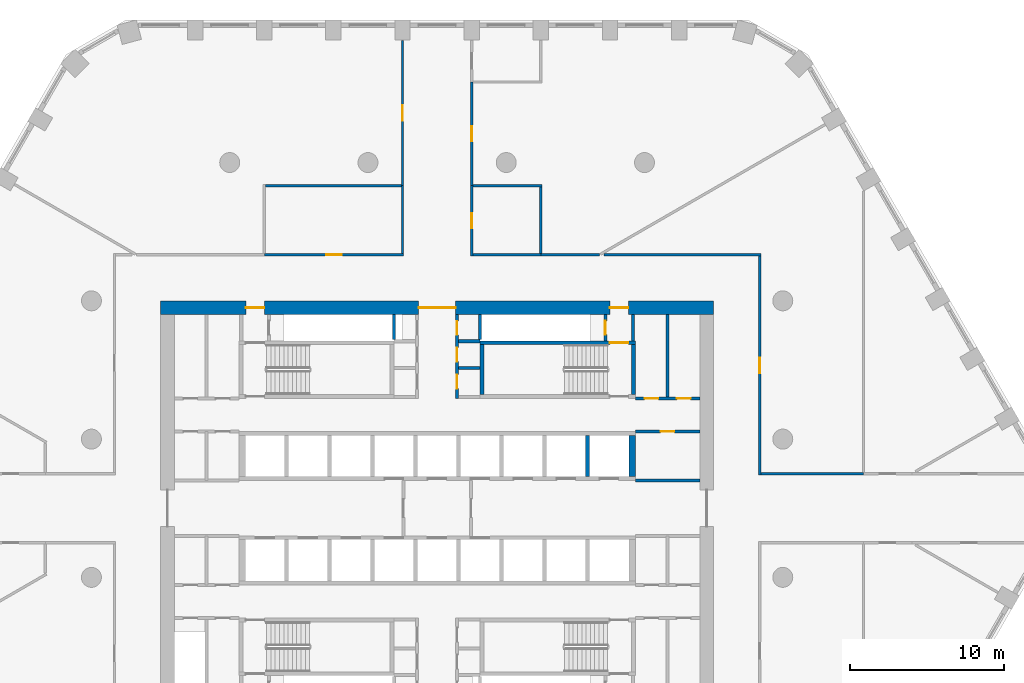
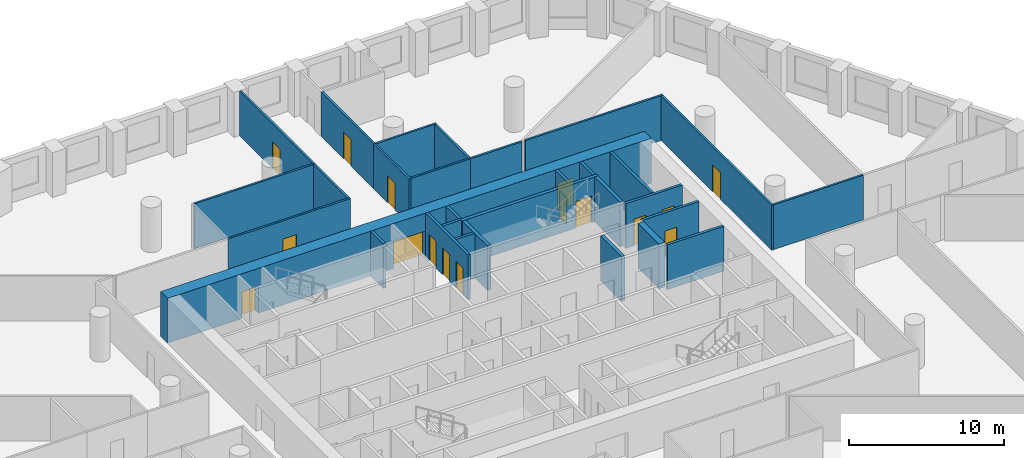
# One storey, part 7 of 10: 30 walls, 16 doors, 16 openings.
"""IFC4 building model written with IfcOpenShell, lengths in metres."""

from ifc_helpers import new_model, si_unit, direction, frame, frame_2d, origin, place, context, subcontext, project, spatial, polyline, rectangle, outline, extrude, material, layer, layer_set, type_object, element, fill, save


model = new_model("IFC4")

# Units and contexts
model_context = context("Model", 3, precision=1e-05, world=origin(), true_north=direction((0.0, 1.0)))
body_context = subcontext(model_context, "Body", "Model", "MODEL_VIEW")
ifc_project = project(units=[si_unit("LENGTHUNIT", "METRE"), si_unit("AREAUNIT", "SQUARE_METRE"), si_unit("VOLUMEUNIT", "CUBIC_METRE"), si_unit("PLANEANGLEUNIT", "RADIAN"), si_unit("MASSUNIT", "GRAM", prefix="KILO")], contexts=[model_context])

# Site, building, storey
site_placement = place(None, origin())
site = spatial("IfcSite", under=ifc_project, at=site_placement, CompositionType="ELEMENT")
building_placement = place(site_placement, origin())
building = spatial("IfcBuilding", under=site, at=building_placement, Name="Dhurran Vertical Campus", CompositionType="ELEMENT")
storey_placement = place(building_placement, frame((0.0, 0.0, 112.5)))
storey = spatial("IfcBuildingStorey", under=building, at=storey_placement, Name="L27", CompositionType="ELEMENT", Elevation=112.5)

# Wall, openings, doors
ifc_material_1 = material(Name="Concrete C60/75", Category="concrete")
ifc_layer_1 = layer(ifc_material_1, 0.89990234375)
ifc_layer_set_1 = layer_set([ifc_layer_1], Name="Concrete C60/75")
wall_type_1 = type_object("IfcWallType", Name="co-CORE-WALL-C0-900", PredefinedType="SHEAR", material=ifc_layer_set_1)
wall_1_placement = place(storey_placement, frame((-18.0, 13.050048828125, 0.0), z_axis=(0.0, 0.0, 1.0), x_axis=(1.0, 0.0, 0.0)))
wall_1 = element("IfcWall", 1, at=wall_1_placement, inside=storey, type_object=wall_type_1, Name="Core wall N L27", PredefinedType="SHEAR", context=body_context, shape_type="SweptSolid", body=[
    extrude(rectangle(XDim=36.0, YDim=0.89990234375, at=frame_2d((18.0, 0.0))), origin(), (0.0, 0.0, 1.0), 3.52490234375),
])
opening_1_placement = place(wall_1_placement, frame((16.800048828125, 0.0, 0.0)))
opening_1 = element("IfcOpeningElement", 2, at=opening_1_placement, cuts=wall_1, Name="Opening CV1", PredefinedType="OPENING", context=body_context, shape_type="SweptSolid", body=[
    extrude(rectangle(XDim=2.39990234375, YDim=2.10009765625, at=frame_2d((1.199951171875, 1.050048828125))), frame((0.0, 0.4599609375, 0.0), z_axis=(0.0, -1.0, 0.0), x_axis=(1.0, 0.0, 0.0)), (0.0, 0.0, 1.0), 0.919921875),
])
opening_2_placement = place(wall_1_placement, frame((5.550048828125, 0.0, 0.0)))
opening_2 = element("IfcOpeningElement", 3, at=opening_2_placement, cuts=wall_1, Name="Opening XD1", PredefinedType="OPENING", context=body_context, shape_type="SweptSolid", body=[
    extrude(rectangle(XDim=1.199951171875, YDim=2.10009765625, at=frame_2d((0.60009765625, 1.050048828125))), frame((0.0, 0.4599609375, 0.0), z_axis=(0.0, -1.0, 0.0), x_axis=(1.0, 0.0, 0.0)), (0.0, 0.0, 1.0), 0.919921875),
])
opening_3_placement = place(wall_1_placement, frame((29.25, 0.0, 0.0)))
opening_3 = element("IfcOpeningElement", 4, at=opening_3_placement, cuts=wall_1, Name="Opening XD2", PredefinedType="OPENING", context=body_context, shape_type="SweptSolid", body=[
    extrude(rectangle(XDim=1.199951171875, YDim=2.10009765625, at=frame_2d((0.60009765625, 1.050048828125))), frame((0.0, 0.4599609375, 0.0), z_axis=(0.0, -1.0, 0.0), x_axis=(1.0, 0.0, 0.0)), (0.0, 0.0, 1.0), 0.919921875),
])
ifc_material_2 = material(Name="Fire-rated glazed door set")
door_type_1 = type_object("IfcDoorType", Name="co-D-LOBBY 2400x2100", OperationType="DOUBLE_DOOR_DOUBLE_SWING", PredefinedType="DOOR", material=ifc_material_2)
door_1_placement = place(opening_1_placement, origin())
door_1 = element("IfcDoor", 5, at=door_1_placement, inside=storey, type_object=door_type_1, Name="Core vestibule door N L27", OperationType="DOUBLE_DOOR_DOUBLE_SWING", OverallHeight=2.10009765625, OverallWidth=2.39990234375, PredefinedType="DOOR", context=body_context, shape_type="SweptSolid", body=[
    extrude(rectangle(XDim=2.39990234375, YDim=2.10009765625, at=frame_2d((1.199951171875, 1.050048828125))), frame((0.0, 0.02490234375, 0.0), z_axis=(0.0, -1.0, 0.0), x_axis=(1.0, 0.0, 0.0)), (0.0, 0.0, 1.0), 0.050048828125),
])
fill(opening_1, door_1)
ifc_material_3 = material(Name="Fire-rated steel door set", Category="steel")
door_type_2 = type_object("IfcDoorType", Name="co-D-STAIR-EXIT 1200x2100", OperationType="SINGLE_SWING_RIGHT", PredefinedType="DOOR", material=ifc_material_3)
door_2_placement = place(opening_2_placement, origin())
door_2 = element("IfcDoor", 6, at=door_2_placement, inside=storey, type_object=door_type_2, Name="Stair ST1 exit door L27", OperationType="SINGLE_SWING_RIGHT", OverallHeight=2.10009765625, OverallWidth=1.199951171875, PredefinedType="DOOR", context=body_context, shape_type="SweptSolid", body=[
    extrude(rectangle(XDim=1.199951171875, YDim=2.10009765625, at=frame_2d((0.60009765625, 1.050048828125))), frame((0.0, 0.02490234375, 0.0), z_axis=(0.0, -1.0, 0.0), x_axis=(1.0, 0.0, 0.0)), (0.0, 0.0, 1.0), 0.050048828125),
])
fill(opening_2, door_2)
door_3_placement = place(opening_3_placement, origin())
door_3 = element("IfcDoor", 7, at=door_3_placement, inside=storey, type_object=door_type_2, Name="Stair ST2 exit door L27", OperationType="SINGLE_SWING_RIGHT", OverallHeight=2.10009765625, OverallWidth=1.199951171875, PredefinedType="DOOR", context=body_context, shape_type="SweptSolid", body=[
    extrude(rectangle(XDim=1.199951171875, YDim=2.10009765625, at=frame_2d((0.60009765625, 1.050048828125))), frame((0.0, 0.02490234375, 0.0), z_axis=(0.0, -1.0, 0.0), x_axis=(1.0, 0.0, 0.0)), (0.0, 0.0, 1.0), 0.050048828125),
])
fill(opening_3, door_3)

# Walls
ifc_material_4 = material(Name="Fire-rated masonry blockwork", Category="masonry")
ifc_layer_2 = layer(ifc_material_4, 0.199951171875)
ifc_layer_set_2 = layer_set([ifc_layer_2], Name="Fire-rated masonry blockwork")
wall_type_2 = type_object("IfcWallType", Name="co-FIRE-PARTITION-200", PredefinedType="PARTITIONING", material=ifc_layer_set_2)
for number, where, z_axis, x_axis, name in (
    (8, (1.39990234375, 9.135009765625, 0.0), (0.0, 0.0, 1.0), (1.0, 0.0, 0.0), "Core partition sl-NE-cut0 L27"),
    (9, (1.39990234375, 10.867431640625, 0.0), (0.0, 0.0, 1.0), (1.0, 0.0, 0.0), "Core partition sl-NE-cut1 L27"),
):
    element("IfcWall", number, at=place(storey_placement, frame(where, z_axis=z_axis, x_axis=x_axis)), inside=storey, type_object=wall_type_2, Name=name, PredefinedType="PARTITIONING", context=body_context, shape_type="SweptSolid", body=[
        extrude(rectangle(XDim=1.400146484375, YDim=0.199951171875, at=frame_2d((0.7001953125, 0.0))), origin(), (0.0, 0.0, 1.0), 3.52490234375),
    ])

# Wall, openings, doors
wall_2_placement = place(storey_placement, frame((1.300048828125, 7.14990234375, 0.0), z_axis=(0.0, 0.0, 1.0), x_axis=(0.0, 1.0, 0.0)))
wall_2 = element("IfcWall", 10, at=wall_2_placement, inside=storey, type_object=wall_type_2, Name="Core partition vest-NE L27", PredefinedType="PARTITIONING", context=body_context, shape_type="SweptSolid", body=[
    extrude(rectangle(XDim=5.4501953125, YDim=0.199951171875, at=frame_2d((2.72509765625, 0.0))), origin(), (0.0, 0.0, 1.0), 3.52490234375),
])
opening_4_placement = place(wall_2_placement, frame((0.642578125, 0.0, 0.0)))
opening_4 = element("IfcOpeningElement", 11, at=opening_4_placement, cuts=wall_2, Name="Opening T07-C10", PredefinedType="OPENING", context=body_context, shape_type="SweptSolid", body=[
    extrude(rectangle(XDim=0.89990234375, YDim=2.10009765625, at=frame_2d((0.449951171875, 1.050048828125))), frame((0.0, 0.10986328125, 0.0), z_axis=(0.0, -1.0, 0.0), x_axis=(1.0, 0.0, 0.0)), (0.0, 0.0, 1.0), 0.219970703125),
])
opening_5_placement = place(wall_2_placement, frame((2.401123046875, 0.0, 0.0)))
opening_5 = element("IfcOpeningElement", 12, at=opening_5_placement, cuts=wall_2, Name="Opening T07-C11", PredefinedType="OPENING", context=body_context, shape_type="SweptSolid", body=[
    extrude(rectangle(XDim=0.89990234375, YDim=2.10009765625, at=frame_2d((0.449951171875, 1.050048828125))), frame((0.0, 0.10986328125, 0.0), z_axis=(0.0, -1.0, 0.0), x_axis=(1.0, 0.0, 0.0)), (0.0, 0.0, 1.0), 0.219970703125),
])
opening_6_placement = place(wall_2_placement, frame((4.1337890625, 0.0, 0.0)))
opening_6 = element("IfcOpeningElement", 13, at=opening_6_placement, cuts=wall_2, Name="Opening T07-C12", PredefinedType="OPENING", context=body_context, shape_type="SweptSolid", body=[
    extrude(rectangle(XDim=0.89990234375, YDim=2.10009765625, at=frame_2d((0.449951171875, 1.050048828125))), frame((0.0, 0.10986328125, 0.0), z_axis=(0.0, -1.0, 0.0), x_axis=(1.0, 0.0, 0.0)), (0.0, 0.0, 1.0), 0.219970703125),
])
ifc_material_5 = material(Name="Fire-rated timber door set", Category="wood")
door_type_3 = type_object("IfcDoorType", Name="co-D-ROOM 900x2100", OperationType="SINGLE_SWING_LEFT", PredefinedType="DOOR", material=ifc_material_5)
door_4_placement = place(opening_4_placement, origin())
door_4 = element("IfcDoor", 14, at=door_4_placement, inside=storey, type_object=door_type_3, Name="Store door L27", OperationType="SINGLE_SWING_LEFT", OverallHeight=2.10009765625, OverallWidth=0.89990234375, PredefinedType="DOOR", context=body_context, shape_type="SweptSolid", body=[
    extrude(rectangle(XDim=0.89990234375, YDim=2.10009765625, at=frame_2d((0.449951171875, 1.050048828125))), frame((0.0, 0.02490234375, 0.0), z_axis=(0.0, -1.0, 0.0), x_axis=(1.0, 0.0, 0.0)), (0.0, 0.0, 1.0), 0.050048828125),
])
fill(opening_4, door_4)
door_5_placement = place(opening_5_placement, origin())
door_5 = element("IfcDoor", 15, at=door_5_placement, inside=storey, type_object=door_type_3, Name="Housekeeping store door L27", OperationType="SINGLE_SWING_LEFT", OverallHeight=2.10009765625, OverallWidth=0.89990234375, PredefinedType="DOOR", context=body_context, shape_type="SweptSolid", body=[
    extrude(rectangle(XDim=0.89990234375, YDim=2.10009765625, at=frame_2d((0.449951171875, 1.050048828125))), frame((0.0, 0.02490234375, 0.0), z_axis=(0.0, -1.0, 0.0), x_axis=(1.0, 0.0, 0.0)), (0.0, 0.0, 1.0), 0.050048828125),
])
fill(opening_5, door_5)
door_6_placement = place(opening_6_placement, origin())
door_6 = element("IfcDoor", 16, at=door_6_placement, inside=storey, type_object=door_type_3, Name="Waste room door L27", OperationType="SINGLE_SWING_LEFT", OverallHeight=2.10009765625, OverallWidth=0.89990234375, PredefinedType="DOOR", context=body_context, shape_type="SweptSolid", body=[
    extrude(rectangle(XDim=0.89990234375, YDim=2.10009765625, at=frame_2d((0.449951171875, 1.050048828125))), frame((0.0, 0.02490234375, 0.0), z_axis=(0.0, -1.0, 0.0), x_axis=(1.0, 0.0, 0.0)), (0.0, 0.0, 1.0), 0.050048828125),
])
fill(opening_6, door_6)

# Wall
wall_3_placement = place(storey_placement, frame((12.75, 10.89990234375, 0.0), z_axis=(0.0, 0.0, 1.0), x_axis=(0.0, 1.0, 0.0)))
element("IfcWall", 17, at=wall_3_placement, inside=storey, type_object=wall_type_2, Name="Core partition pass-ST2-o L27", PredefinedType="PARTITIONING", context=body_context, shape_type="SweptSolid", body=[
    extrude(rectangle(XDim=1.7001953125, YDim=0.199951171875, at=frame_2d((0.85009765625, 0.0))), origin(), (0.0, 0.0, 1.0), 3.52490234375),
])

# Wall, opening, door
wall_4_placement = place(storey_placement, frame((10.949951171875, 10.89990234375, 0.0), z_axis=(0.0, 0.0, 1.0), x_axis=(0.0, 1.0, 0.0)))
wall_4 = element("IfcWall", 18, at=wall_4_placement, inside=storey, type_object=wall_type_2, Name="Core partition pass-ST2-i L27", PredefinedType="PARTITIONING", context=body_context, shape_type="SweptSolid", body=[
    extrude(rectangle(XDim=1.7001953125, YDim=0.199951171875, at=frame_2d((0.85009765625, 0.0))), origin(), (0.0, 0.0, 1.0), 3.52490234375),
])
opening_7_placement = place(wall_4_placement, frame((0.39990234375, 0.0, 0.0)))
opening_7 = element("IfcOpeningElement", 19, at=opening_7_placement, cuts=wall_4, Name="Opening T07-C14", PredefinedType="OPENING", context=body_context, shape_type="SweptSolid", body=[
    extrude(rectangle(XDim=0.89990234375, YDim=2.10009765625, at=frame_2d((0.449951171875, 1.050048828125))), frame((0.0, 0.10986328125, 0.0), z_axis=(0.0, -1.0, 0.0), x_axis=(1.0, 0.0, 0.0)), (0.0, 0.0, 1.0), 0.219970703125),
])
door_7_placement = place(opening_7_placement, origin())
door_7 = element("IfcDoor", 20, at=door_7_placement, inside=storey, type_object=door_type_3, Name="Riser room door L27", OperationType="SINGLE_SWING_LEFT", OverallHeight=2.10009765625, OverallWidth=0.89990234375, PredefinedType="DOOR", context=body_context, shape_type="SweptSolid", body=[
    extrude(rectangle(XDim=0.89990234375, YDim=2.10009765625, at=frame_2d((0.449951171875, 1.050048828125))), frame((0.0, 0.02490234375, 0.0), z_axis=(0.0, -1.0, 0.0), x_axis=(1.0, 0.0, 0.0)), (0.0, 0.0, 1.0), 0.050048828125),
])
fill(opening_7, door_7)

# Wall
wall_5_placement = place(storey_placement, frame((15.0, 7.14990234375, 0.0), z_axis=(0.0, 0.0, 1.0), x_axis=(0.0, 1.0, 0.0)))
element("IfcWall", 21, at=wall_5_placement, inside=storey, type_object=wall_type_2, Name="Core partition en-NE-cut0 L27", PredefinedType="PARTITIONING", context=body_context, shape_type="SweptSolid", body=[
    extrude(rectangle(XDim=5.4501953125, YDim=0.199951171875, at=frame_2d((2.72509765625, 0.0))), origin(), (0.0, 0.0, 1.0), 3.52490234375),
])

# Wall, openings, doors
wall_6_placement = place(storey_placement, frame((12.89990234375, 7.14990234375, 0.0), z_axis=(0.0, 0.0, 1.0), x_axis=(1.0, 0.0, 0.0)))
wall_6 = element("IfcWall", 22, at=wall_6_placement, inside=storey, type_object=wall_type_2, Name="Core partition en-NE-w L27", PredefinedType="PARTITIONING", context=body_context, shape_type="SweptSolid", body=[
    extrude(rectangle(XDim=4.2001953125, YDim=0.199951171875, at=frame_2d((2.10009765625, 0.0))), origin(), (0.0, 0.0, 1.0), 3.52490234375),
])
opening_8_placement = place(wall_6_placement, frame((0.60009765625, 0.0, 0.0)))
opening_8 = element("IfcOpeningElement", 23, at=opening_8_placement, cuts=wall_6, Name="Opening T07-C21", PredefinedType="OPENING", context=body_context, shape_type="SweptSolid", body=[
    extrude(rectangle(XDim=0.89990234375, YDim=2.10009765625, at=frame_2d((0.449951171875, 1.050048828125))), frame((0.0, 0.10986328125, 0.0), z_axis=(0.0, -1.0, 0.0), x_axis=(1.0, 0.0, 0.0)), (0.0, 0.0, 1.0), 0.219970703125),
])
opening_9_placement = place(wall_6_placement, frame((2.699951171875, 0.0, 0.0)))
opening_9 = element("IfcOpeningElement", 24, at=opening_9_placement, cuts=wall_6, Name="Opening T07-C22", PredefinedType="OPENING", context=body_context, shape_type="SweptSolid", body=[
    extrude(rectangle(XDim=0.89990234375, YDim=2.10009765625, at=frame_2d((0.449951171875, 1.050048828125))), frame((0.0, 0.10986328125, 0.0), z_axis=(0.0, -1.0, 0.0), x_axis=(1.0, 0.0, 0.0)), (0.0, 0.0, 1.0), 0.219970703125),
])
door_8_placement = place(opening_8_placement, origin())
door_8 = element("IfcDoor", 25, at=door_8_placement, inside=storey, type_object=door_type_3, Name="Waste room door L27", OperationType="SINGLE_SWING_LEFT", OverallHeight=2.10009765625, OverallWidth=0.89990234375, PredefinedType="DOOR", context=body_context, shape_type="SweptSolid", body=[
    extrude(rectangle(XDim=0.89990234375, YDim=2.10009765625, at=frame_2d((0.449951171875, 1.050048828125))), frame((0.0, 0.02490234375, 0.0), z_axis=(0.0, -1.0, 0.0), x_axis=(1.0, 0.0, 0.0)), (0.0, 0.0, 1.0), 0.050048828125),
])
fill(opening_8, door_8)
door_9_placement = place(opening_9_placement, origin())
door_9 = element("IfcDoor", 26, at=door_9_placement, inside=storey, type_object=door_type_3, Name="Server room door L27", OperationType="SINGLE_SWING_LEFT", OverallHeight=2.10009765625, OverallWidth=0.89990234375, PredefinedType="DOOR", context=body_context, shape_type="SweptSolid", body=[
    extrude(rectangle(XDim=0.89990234375, YDim=2.10009765625, at=frame_2d((0.449951171875, 1.050048828125))), frame((0.0, 0.02490234375, 0.0), z_axis=(0.0, -1.0, 0.0), x_axis=(1.0, 0.0, 0.0)), (0.0, 0.0, 1.0), 0.050048828125),
])
fill(opening_9, door_9)

# Wall, opening, door
wall_7_placement = place(storey_placement, frame((12.89990234375, 5.0, 0.0), z_axis=(0.0, 0.0, 1.0), x_axis=(1.0, 0.0, 0.0)))
wall_7 = element("IfcWall", 27, at=wall_7_placement, inside=storey, type_object=wall_type_2, Name="Core partition es-NE-w L27", PredefinedType="PARTITIONING", context=body_context, shape_type="SweptSolid", body=[
    extrude(rectangle(XDim=4.2001953125, YDim=0.199951171875, at=frame_2d((2.10009765625, 0.0))), origin(), (0.0, 0.0, 1.0), 3.52490234375),
])
opening_10_placement = place(wall_7_placement, frame((1.64990234375, 0.0, 0.0)))
opening_10 = element("IfcOpeningElement", 28, at=opening_10_placement, cuts=wall_7, Name="Opening T07-C23", PredefinedType="OPENING", context=body_context, shape_type="SweptSolid", body=[
    extrude(rectangle(XDim=0.89990234375, YDim=2.10009765625, at=frame_2d((0.449951171875, 1.050048828125))), frame((0.0, 0.10986328125, 0.0), z_axis=(0.0, -1.0, 0.0), x_axis=(1.0, 0.0, 0.0)), (0.0, 0.0, 1.0), 0.219970703125),
])
door_10_placement = place(opening_10_placement, origin())
door_10 = element("IfcDoor", 29, at=door_10_placement, inside=storey, type_object=door_type_3, Name="Housekeeping store door L27", OperationType="SINGLE_SWING_LEFT", OverallHeight=2.10009765625, OverallWidth=0.89990234375, PredefinedType="DOOR", context=body_context, shape_type="SweptSolid", body=[
    extrude(rectangle(XDim=0.89990234375, YDim=2.10009765625, at=frame_2d((0.449951171875, 1.050048828125))), frame((0.0, 0.02490234375, 0.0), z_axis=(0.0, -1.0, 0.0), x_axis=(1.0, 0.0, 0.0)), (0.0, 0.0, 1.0), 0.050048828125),
])
fill(opening_10, door_10)

# Walls
wall_8_placement = place(storey_placement, frame((12.89990234375, 1.800048828125, 0.0), z_axis=(0.0, 0.0, 1.0), x_axis=(1.0, 0.0, 0.0)))
element("IfcWall", 30, at=wall_8_placement, inside=storey, type_object=wall_type_2, Name="Core partition es-NE-l L27", PredefinedType="PARTITIONING", context=body_context, shape_type="SweptSolid", body=[
    extrude(rectangle(XDim=4.2001953125, YDim=0.199951171875, at=frame_2d((2.10009765625, 0.0))), origin(), (0.0, 0.0, 1.0), 3.52490234375),
])
for number, where, z_axis, x_axis, name in (
    (31, (-2.800048828125, 10.968505859375, 0.0), (0.0, 0.0, 1.0), (0.0, 1.0, 0.0), "Riser enclosure wall L27"),
    (32, (2.800048828125, 12.59912109375, 0.0), (0.0, 0.0, 1.0), (0.0, -1.0, 0.0), "Riser enclosure wall L27"),
):
    element("IfcWall", number, at=place(storey_placement, frame(where, z_axis=z_axis, x_axis=x_axis)), inside=storey, type_object=wall_type_2, Name=name, PredefinedType="PARTITIONING", context=body_context, shape_type="SweptSolid", body=[
        extrude(rectangle(XDim=1.630615234375, YDim=0.199951171875, at=frame_2d((0.8154296875, 0.0))), origin(), (0.0, 0.0, 1.0), 3.52490234375),
    ])
ifc_material_6 = material(Name="Concrete C50/60", Category="concrete")
ifc_layer_3 = layer(ifc_material_6, 0.25)
ifc_layer_set_3 = layer_set([ifc_layer_3], Name="Concrete C50/60")
wall_type_3 = type_object("IfcWallType", Name="co-SHAFT-MASS-250", PredefinedType="SHEAR", material=ifc_layer_set_3)
wall_9_placement = place(storey_placement, origin())
element("IfcWall", 33, at=wall_9_placement, inside=storey, type_object=wall_type_3, Name="Lift shaft wall N L27 10", PredefinedType="SHEAR", context=body_context, shape_type="SweptSolid", body=[
    extrude(outline(polyline([(9.675048828125, 2.050048828125), (9.925048828125, 2.050048828125), (9.925048828125, 4.75), (9.675048828125, 4.75), (9.675048828125, 2.050048828125)])), origin(), (0.0, 0.0, 1.0), 3.52490234375),
])
wall_10_placement = place(storey_placement, origin())
element("IfcWall", 34, at=wall_10_placement, inside=storey, type_object=wall_type_3, Name="Lift shaft wall N L27 11", PredefinedType="SHEAR", context=body_context, shape_type="SweptSolid", body=[
    extrude(outline(polyline([(12.47509765625, 2.050048828125), (12.89990234375, 2.050048828125), (12.89990234375, 4.75), (12.47509765625, 4.75), (12.47509765625, 2.050048828125)])), origin(), (0.0, 0.0, 1.0), 3.52490234375),
])

# Wall, opening, door
ifc_material_7 = material(Name="Concrete C40/50", Category="concrete")
ifc_layer_4 = layer(ifc_material_7, 0.25)
ifc_layer_set_4 = layer_set([ifc_layer_4], Name="Concrete C40/50")
wall_type_4 = type_object("IfcWallType", Name="co-STAIR-WALL-250", PredefinedType="SHEAR", material=ifc_layer_set_4)
wall_11_placement = place(storey_placement, frame((2.800048828125, 10.77490234375, 0.0), z_axis=(0.0, 0.0, 1.0), x_axis=(1.0, 0.0, 0.0)))
wall_11 = element("IfcWall", 35, at=wall_11_placement, inside=storey, type_object=wall_type_4, Name="Stair ST2 enclosure wall L27", PredefinedType="SHEAR", context=body_context, shape_type="SweptSolid", body=[
    extrude(rectangle(XDim=10.099853515625, YDim=0.25, at=frame_2d((5.0498046875, 0.0))), origin(), (0.0, 0.0, 1.0), 3.52490234375),
])
opening_11_placement = place(wall_11_placement, frame((8.449951171875, 0.0, 0.0)))
opening_11 = element("IfcOpeningElement", 36, at=opening_11_placement, cuts=wall_11, Name="Opening XS2", PredefinedType="OPENING", context=body_context, shape_type="SweptSolid", body=[
    extrude(rectangle(XDim=1.199951171875, YDim=2.10009765625, at=frame_2d((0.60009765625, 1.050048828125))), frame((0.0, 0.135009765625, 0.0), z_axis=(0.0, -1.0, 0.0), x_axis=(1.0, 0.0, 0.0)), (0.0, 0.0, 1.0), 0.27001953125),
])
door_11_placement = place(opening_11_placement, origin())
door_11 = element("IfcDoor", 37, at=door_11_placement, inside=storey, type_object=door_type_2, Name="Stair ST2 discharge door L27", OperationType="SINGLE_SWING_RIGHT", OverallHeight=2.10009765625, OverallWidth=1.199951171875, PredefinedType="DOOR", context=body_context, shape_type="SweptSolid", body=[
    extrude(rectangle(XDim=1.199951171875, YDim=2.10009765625, at=frame_2d((0.60009765625, 1.050048828125))), frame((0.0, 0.02490234375, 0.0), z_axis=(0.0, -1.0, 0.0), x_axis=(1.0, 0.0, 0.0)), (0.0, 0.0, 1.0), 0.050048828125),
])
fill(opening_11, door_11)

# Walls
for number, where, z_axis, x_axis, name in (
    (38, (2.925048828125, 7.39990234375, 0.0), (0.0, 0.0, 1.0), (0.0, 1.0, 0.0), "Stair ST2 enclosure wall L27"),
    (39, (12.77490234375, 7.39990234375, 0.0), (0.0, 0.0, 1.0), (0.0, 1.0, 0.0), "Stair ST2 enclosure wall L27"),
):
    element("IfcWall", number, at=place(storey_placement, frame(where, z_axis=z_axis, x_axis=x_axis)), inside=storey, type_object=wall_type_4, Name=name, PredefinedType="SHEAR", context=body_context, shape_type="SweptSolid", body=[
        extrude(rectangle(XDim=3.25, YDim=0.25, at=frame_2d((1.625, 0.0))), origin(), (0.0, 0.0, 1.0), 3.52490234375),
    ])

# Wall, opening, door
ifc_material_8 = material(Name="Gypsum board corridor wall on steel studs", Category="steel")
ifc_layer_5 = layer(ifc_material_8, 0.14990234375)
ifc_layer_set_5 = layer_set([ifc_layer_5], Name="Gypsum board corridor wall on steel studs")
wall_type_5 = type_object("IfcWallType", Name="fl-CW-150 corridor wall", PredefinedType="PARTITIONING", material=ifc_layer_set_5)
wall_12_placement = place(storey_placement, frame((-2.175048828125, 16.5, 0.0), z_axis=(0.0, 0.0, 1.0), x_axis=(-1.0, 0.0, 0.0)))
wall_12 = element("IfcWall", 40, at=wall_12_placement, inside=storey, type_object=wall_type_5, Name="Partition 27-27", PredefinedType="PARTITIONING", context=body_context, shape_type="SweptSolid", body=[
    extrude(rectangle(XDim=9.074951171875, YDim=0.14990234375, at=frame_2d((4.53759765625, 0.0))), origin(), (0.0, 0.0, 1.0), 3.52490234375),
])
opening_12_placement = place(wall_12_placement, frame((4.03759765625, 0.0, 0.0)))
opening_12 = element("IfcOpeningElement", 41, at=opening_12_placement, cuts=wall_12, Name="Opening T07.10", PredefinedType="OPENING", context=body_context, shape_type="SweptSolid", body=[
    extrude(rectangle(XDim=1.0, YDim=2.10009765625, at=frame_2d((0.5, 1.050048828125))), frame((0.0, 0.0849609375, 0.0), z_axis=(0.0, -1.0, 0.0), x_axis=(1.0, 0.0, 0.0)), (0.0, 0.0, 1.0), 0.169921875),
])
ifc_material_9 = material(Name="Solid-core timber door set, fire-rated", Category="wood")
door_type_4 = type_object("IfcDoorType", Name="fl-D-1000x2100", OperationType="SINGLE_SWING_LEFT", PredefinedType="DOOR", material=ifc_material_9)
door_12_placement = place(opening_12_placement, origin())
door_12 = element("IfcDoor", 42, at=door_12_placement, inside=storey, type_object=door_type_4, Name="Door 27.10", OperationType="SINGLE_SWING_RIGHT", OverallHeight=2.10009765625, OverallWidth=1.0, PredefinedType="DOOR", context=body_context, shape_type="SweptSolid", body=[
    extrude(rectangle(XDim=1.0, YDim=2.10009765625, at=frame_2d((0.5, 1.050048828125))), frame((0.0, 0.02490234375, 0.0), z_axis=(0.0, -1.0, 0.0), x_axis=(1.0, 0.0, 0.0)), (0.0, 0.0, 1.0), 0.050048828125),
])
fill(opening_12, door_12)

# Wall
wall_13_placement = place(storey_placement, frame((-2.25, 16.574951171875, 0.0), z_axis=(0.0, 0.0, 1.0), x_axis=(0.0, 1.0, 0.0)))
element("IfcWall", 43, at=wall_13_placement, inside=storey, type_object=wall_type_5, Name="Partition 27-31", PredefinedType="PARTITIONING", context=body_context, shape_type="SweptSolid", body=[
    extrude(rectangle(XDim=4.425048828125, YDim=0.14990234375, at=frame_2d((2.21240234375, 0.0))), origin(), (0.0, 0.0, 1.0), 3.52490234375),
])

# Wall, opening, door
wall_14_placement = place(storey_placement, frame((-2.25, 21.0, 0.0), z_axis=(0.0, 0.0, 1.0), x_axis=(0.0, 1.0, 0.0)))
wall_14 = element("IfcWall", 44, at=wall_14_placement, inside=storey, type_object=wall_type_5, Name="Partition 27-32", PredefinedType="PARTITIONING", context=body_context, shape_type="SweptSolid", body=[
    extrude(rectangle(XDim=9.459716796875, YDim=0.14990234375, at=frame_2d((4.72998046875, 0.0))), origin(), (0.0, 0.0, 1.0), 3.52490234375),
])
opening_13_placement = place(wall_14_placement, frame((4.22998046875, 0.0, 0.0)))
opening_13 = element("IfcOpeningElement", 45, at=opening_13_placement, cuts=wall_14, Name="Opening T07.08", PredefinedType="OPENING", context=body_context, shape_type="SweptSolid", body=[
    extrude(rectangle(XDim=1.0, YDim=2.10009765625, at=frame_2d((0.5, 1.050048828125))), frame((0.0, 0.0849609375, 0.0), z_axis=(0.0, -1.0, 0.0), x_axis=(1.0, 0.0, 0.0)), (0.0, 0.0, 1.0), 0.169921875),
])
door_13_placement = place(opening_13_placement, origin())
door_13 = element("IfcDoor", 46, at=door_13_placement, inside=storey, type_object=door_type_4, Name="Door 27.08", OperationType="SINGLE_SWING_RIGHT", OverallHeight=2.10009765625, OverallWidth=1.0, PredefinedType="DOOR", context=body_context, shape_type="SweptSolid", body=[
    extrude(rectangle(XDim=1.0, YDim=2.10009765625, at=frame_2d((0.5, 1.050048828125))), frame((0.0, 0.02490234375, 0.0), z_axis=(0.0, -1.0, 0.0), x_axis=(1.0, 0.0, 0.0)), (0.0, 0.0, 1.0), 0.050048828125),
])
fill(opening_13, door_13)

wall_15_placement = place(storey_placement, frame((2.25, 21.0, 0.0), z_axis=(0.0, 0.0, 1.0), x_axis=(0.0, -1.0, 0.0)))
wall_15 = element("IfcWall", 47, at=wall_15_placement, inside=storey, type_object=wall_type_5, Name="Partition 27-37", PredefinedType="PARTITIONING", context=body_context, shape_type="SweptSolid", body=[
    extrude(rectangle(XDim=4.574951171875, YDim=0.14990234375, at=frame_2d((2.28759765625, 0.0))), origin(), (0.0, 0.0, 1.0), 3.52490234375),
])
opening_14_placement = place(wall_15_placement, frame((1.78759765625, 0.0, 0.0)))
opening_14 = element("IfcOpeningElement", 48, at=opening_14_placement, cuts=wall_15, Name="Opening T07.11", PredefinedType="OPENING", context=body_context, shape_type="SweptSolid", body=[
    extrude(rectangle(XDim=1.0, YDim=2.10009765625, at=frame_2d((0.5, 1.050048828125))), frame((0.0, 0.0849609375, 0.0), z_axis=(0.0, -1.0, 0.0), x_axis=(1.0, 0.0, 0.0)), (0.0, 0.0, 1.0), 0.169921875),
])
door_14_placement = place(opening_14_placement, origin())
door_14 = element("IfcDoor", 49, at=door_14_placement, inside=storey, type_object=door_type_4, Name="Door 27.11", OperationType="SINGLE_SWING_RIGHT", OverallHeight=2.10009765625, OverallWidth=1.0, PredefinedType="DOOR", context=body_context, shape_type="SweptSolid", body=[
    extrude(rectangle(XDim=1.0, YDim=2.10009765625, at=frame_2d((0.5, 1.050048828125))), frame((0.0, 0.02490234375, 0.0), z_axis=(0.0, -1.0, 0.0), x_axis=(1.0, 0.0, 0.0)), (0.0, 0.0, 1.0), 0.050048828125),
])
fill(opening_14, door_14)

# Wall
wall_16_placement = place(storey_placement, frame((6.75, 16.5, 0.0), z_axis=(0.0, 0.0, 1.0), x_axis=(-1.0, 0.0, 0.0)))
element("IfcWall", 50, at=wall_16_placement, inside=storey, type_object=wall_type_5, Name="Partition 27-38", PredefinedType="PARTITIONING", context=body_context, shape_type="SweptSolid", body=[
    extrude(rectangle(XDim=4.425048828125, YDim=0.14990234375, at=frame_2d((2.21240234375, 0.0))), origin(), (0.0, 0.0, 1.0), 3.52490234375),
])

# Wall, opening, door
wall_17_placement = place(storey_placement, frame((2.25, 27.75, 0.0), z_axis=(0.0, 0.0, 1.0), x_axis=(0.0, -1.0, 0.0)))
wall_17 = element("IfcWall", 51, at=wall_17_placement, inside=storey, type_object=wall_type_5, Name="Partition 27-39", PredefinedType="PARTITIONING", context=body_context, shape_type="SweptSolid", body=[
    extrude(rectangle(XDim=6.75, YDim=0.14990234375, at=frame_2d((3.375, 0.0))), origin(), (0.0, 0.0, 1.0), 3.52490234375),
])
opening_15_placement = place(wall_17_placement, frame((2.875, 0.0, 0.0)))
opening_15 = element("IfcOpeningElement", 52, at=opening_15_placement, cuts=wall_17, Name="Opening T07.15", PredefinedType="OPENING", context=body_context, shape_type="SweptSolid", body=[
    extrude(rectangle(XDim=1.0, YDim=2.10009765625, at=frame_2d((0.5, 1.050048828125))), frame((0.0, 0.0849609375, 0.0), z_axis=(0.0, -1.0, 0.0), x_axis=(1.0, 0.0, 0.0)), (0.0, 0.0, 1.0), 0.169921875),
])
door_15_placement = place(opening_15_placement, origin())
door_15 = element("IfcDoor", 53, at=door_15_placement, inside=storey, type_object=door_type_4, Name="Door 27.15", OperationType="SINGLE_SWING_RIGHT", OverallHeight=2.10009765625, OverallWidth=1.0, PredefinedType="DOOR", context=body_context, shape_type="SweptSolid", body=[
    extrude(rectangle(XDim=1.0, YDim=2.10009765625, at=frame_2d((0.5, 1.050048828125))), frame((0.0, 0.02490234375, 0.0), z_axis=(0.0, -1.0, 0.0), x_axis=(1.0, 0.0, 0.0)), (0.0, 0.0, 1.0), 0.050048828125),
])
fill(opening_15, door_15)

# Walls
wall_18_placement = place(storey_placement, frame((10.5791015625, 16.5, 0.0), z_axis=(0.0, 0.0, 1.0), x_axis=(-1.0, 0.0, 0.0)))
element("IfcWall", 54, at=wall_18_placement, inside=storey, type_object=wall_type_5, Name="Partition 27-44", PredefinedType="PARTITIONING", context=body_context, shape_type="SweptSolid", body=[
    extrude(rectangle(XDim=3.8291015625, YDim=0.14990234375, at=frame_2d((1.91455078125, 0.0))), origin(), (0.0, 0.0, 1.0), 3.52490234375),
])
wall_19_placement = place(storey_placement, frame((21.074951171875, 16.5, 0.0), z_axis=(0.0, 0.0, 1.0), x_axis=(-1.0, 0.0, 0.0)))
element("IfcWall", 55, at=wall_19_placement, inside=storey, type_object=wall_type_5, Name="Partition 27-46", PredefinedType="PARTITIONING", context=body_context, shape_type="SweptSolid", body=[
    extrude(rectangle(XDim=10.220947265625, YDim=0.14990234375, at=frame_2d((5.1103515625, 0.0))), origin(), (0.0, 0.0, 1.0), 3.52490234375),
])

# Wall, opening, door
wall_20_placement = place(storey_placement, frame((21.0, 2.175048828125, 0.0), z_axis=(0.0, 0.0, 1.0), x_axis=(0.0, 1.0, 0.0)))
wall_20 = element("IfcWall", 56, at=wall_20_placement, inside=storey, type_object=wall_type_5, Name="Partition 27-54", PredefinedType="PARTITIONING", context=body_context, shape_type="SweptSolid", body=[
    extrude(rectangle(XDim=14.25, YDim=0.14990234375, at=frame_2d((7.125, 0.0))), origin(), (0.0, 0.0, 1.0), 3.52490234375),
])
opening_16_placement = place(wall_20_placement, frame((6.625, 0.0, 0.0)))
opening_16 = element("IfcOpeningElement", 57, at=opening_16_placement, cuts=wall_20, Name="Opening T07.16", PredefinedType="OPENING", context=body_context, shape_type="SweptSolid", body=[
    extrude(rectangle(XDim=1.0, YDim=2.10009765625, at=frame_2d((0.5, 1.050048828125))), frame((0.0, 0.0849609375, 0.0), z_axis=(0.0, -1.0, 0.0), x_axis=(1.0, 0.0, 0.0)), (0.0, 0.0, 1.0), 0.169921875),
])
door_16_placement = place(opening_16_placement, origin())
door_16 = element("IfcDoor", 58, at=door_16_placement, inside=storey, type_object=door_type_4, Name="Door 27.16", OperationType="SINGLE_SWING_RIGHT", OverallHeight=2.10009765625, OverallWidth=1.0, PredefinedType="DOOR", context=body_context, shape_type="SweptSolid", body=[
    extrude(rectangle(XDim=1.0, YDim=2.10009765625, at=frame_2d((0.5, 1.050048828125))), frame((0.0, 0.02490234375, 0.0), z_axis=(0.0, -1.0, 0.0), x_axis=(1.0, 0.0, 0.0)), (0.0, 0.0, 1.0), 0.050048828125),
])
fill(opening_16, door_16)

# Walls
wall_21_placement = place(storey_placement, frame((21.074951171875, 2.25, 0.0), z_axis=(0.0, 0.0, 1.0), x_axis=(1.0, 0.0, 0.0)))
element("IfcWall", 59, at=wall_21_placement, inside=storey, type_object=wall_type_5, Name="Partition 27-55", PredefinedType="PARTITIONING", context=body_context, shape_type="SweptSolid", body=[
    extrude(rectangle(XDim=6.675048828125, YDim=0.14990234375, at=frame_2d((3.33740234375, 0.0))), origin(), (0.0, 0.0, 1.0), 3.52490234375),
])
ifc_material_10 = material(Name="Gypsum board partition on steel studs", Category="steel")
ifc_layer_6 = layer(ifc_material_10, 0.14990234375)
ifc_layer_set_6 = layer_set([ifc_layer_6], Name="Gypsum board partition on steel studs")
wall_type_6 = type_object("IfcWallType", Name="fl-PW-150 fixed partition", PredefinedType="PARTITIONING", material=ifc_layer_set_6)
wall_22_placement = place(storey_placement, frame((-2.324951171875, 21.0, 0.0), z_axis=(0.0, 0.0, 1.0), x_axis=(-1.0, 0.0, 0.0)))
element("IfcWall", 60, at=wall_22_placement, inside=storey, type_object=wall_type_6, Name="Partition 27-28", PredefinedType="PARTITIONING", context=body_context, shape_type="SweptSolid", body=[
    extrude(rectangle(XDim=8.85009765625, YDim=0.14990234375, at=frame_2d((4.425048828125, 0.0))), origin(), (0.0, 0.0, 1.0), 3.52490234375),
])
wall_23_placement = place(storey_placement, frame((2.324951171875, 21.0, 0.0), z_axis=(0.0, 0.0, 1.0), x_axis=(1.0, 0.0, 0.0)))
element("IfcWall", 61, at=wall_23_placement, inside=storey, type_object=wall_type_6, Name="Partition 27-40", PredefinedType="PARTITIONING", context=body_context, shape_type="SweptSolid", body=[
    extrude(rectangle(XDim=4.5, YDim=0.14990234375, at=frame_2d((2.25, 0.0))), origin(), (0.0, 0.0, 1.0), 3.52490234375),
])
wall_24_placement = place(storey_placement, frame((6.75, 20.925048828125, 0.0), z_axis=(0.0, 0.0, 1.0), x_axis=(0.0, -1.0, 0.0)))
element("IfcWall", 62, at=wall_24_placement, inside=storey, type_object=wall_type_6, Name="Partition 27-43", PredefinedType="PARTITIONING", context=body_context, shape_type="SweptSolid", body=[
    extrude(rectangle(XDim=4.35009765625, YDim=0.14990234375, at=frame_2d((2.175048828125, 0.0))), origin(), (0.0, 0.0, 1.0), 3.52490234375),
])

save(model, "model.ifc")
